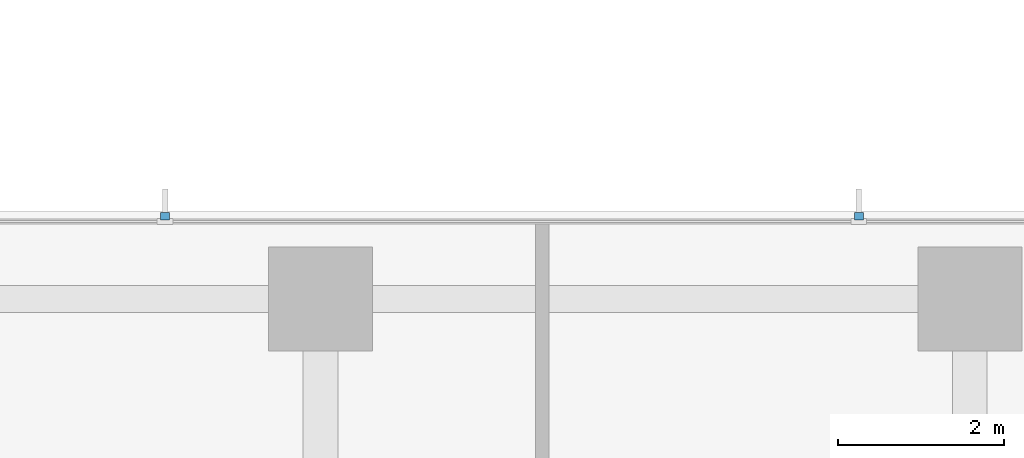
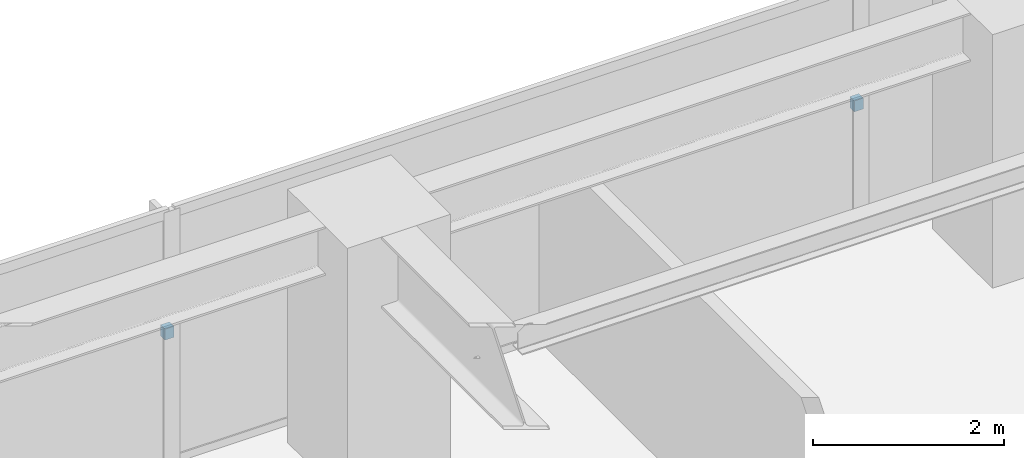
# One storey, part 15 of 17: 2 discrete accessories.
"""IFC4 building model written with IfcOpenShell, lengths in metres."""

from ifc_helpers import new_model, si_unit, direction, frame, origin, place, context, subcontext, project, spatial, polyline, outline, extrude, material, type_object, element, save


model = new_model("IFC4")

# Units and contexts
model_context = context("Model", 3, precision=1e-05, world=origin(), true_north=direction((0.0, 1.0)))
body_context = subcontext(model_context, "Body", "Model", "MODEL_VIEW")
ifc_project = project(units=[si_unit("LENGTHUNIT", "METRE"), si_unit("AREAUNIT", "SQUARE_METRE"), si_unit("VOLUMEUNIT", "CUBIC_METRE"), si_unit("PLANEANGLEUNIT", "RADIAN"), si_unit("MASSUNIT", "GRAM", prefix="KILO")], contexts=[model_context])

# Site, building, storey
site_placement = place(None, origin())
site = spatial("IfcSite", under=ifc_project, at=site_placement, CompositionType="ELEMENT")
building_placement = place(site_placement, origin())
building = spatial("IfcBuilding", under=site, at=building_placement, Name="Qalmaran Belvedere Hotel", CompositionType="ELEMENT")
storey_placement = place(building_placement, frame((0.0, 0.0, 116.199951171875)))
storey = spatial("IfcBuildingStorey", under=building, at=storey_placement, Name="L29", CompositionType="ELEMENT", Elevation=116.199951171875)

# Discrete accessories
ifc_material = material(Name="Stainless Steel 1.4401", Category="steel")
discrete_accessory_type = type_object("IfcDiscreteAccessoryType", Name="BRK-FIN-SS316", PredefinedType="BRACKET", material=ifc_material)
discrete_accessory_1_placement = place(storey_placement, frame((0.0, 0.0, 1.570068359375)))
element("IfcDiscreteAccessory", 1, at=discrete_accessory_1_placement, inside=storey, type_object=discrete_accessory_type, Name="L29 Fin Bracket 1", PredefinedType="BRACKET", context=body_context, shape_type="SweptSolid", body=[
    extrude(outline(polyline([(43.521728515625, 46.39501953125), (43.521728515625, 46.489990234375), (43.41162109375, 46.489990234375), (43.41162109375, 46.39501953125), (43.521728515625, 46.39501953125)])), origin(), (0.0, 0.0, 1.0), 0.139892578125),
])
discrete_accessory_2_placement = place(storey_placement, frame((0.0, 0.0, 1.570068359375)))
element("IfcDiscreteAccessory", 2, at=discrete_accessory_2_placement, inside=storey, type_object=discrete_accessory_type, Name="L29 Fin Bracket 2", PredefinedType="BRACKET", context=body_context, shape_type="SweptSolid", body=[
    extrude(outline(polyline([(35.188232421875, 46.39501953125), (35.188232421875, 46.489990234375), (35.078369140625, 46.489990234375), (35.078369140625, 46.39501953125), (35.188232421875, 46.39501953125)])), origin(), (0.0, 0.0, 1.0), 0.139892578125),
])

save(model, "model.ifc")
